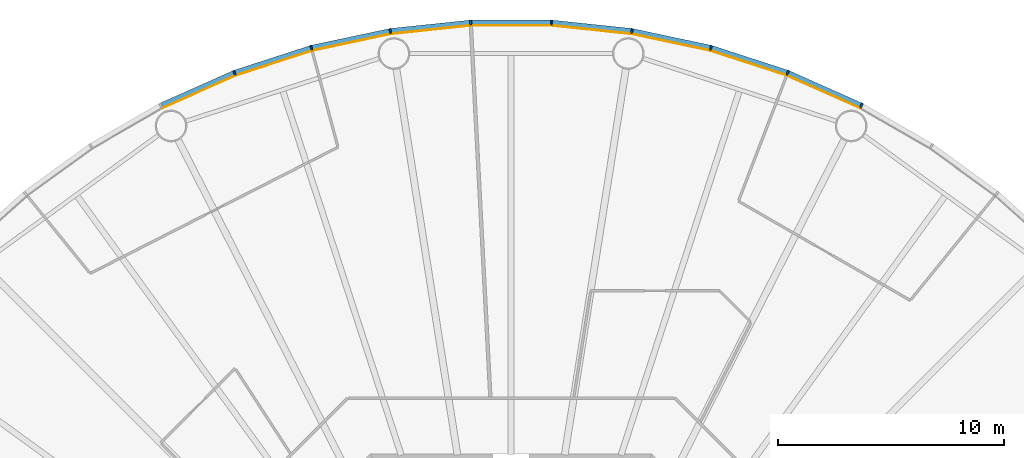
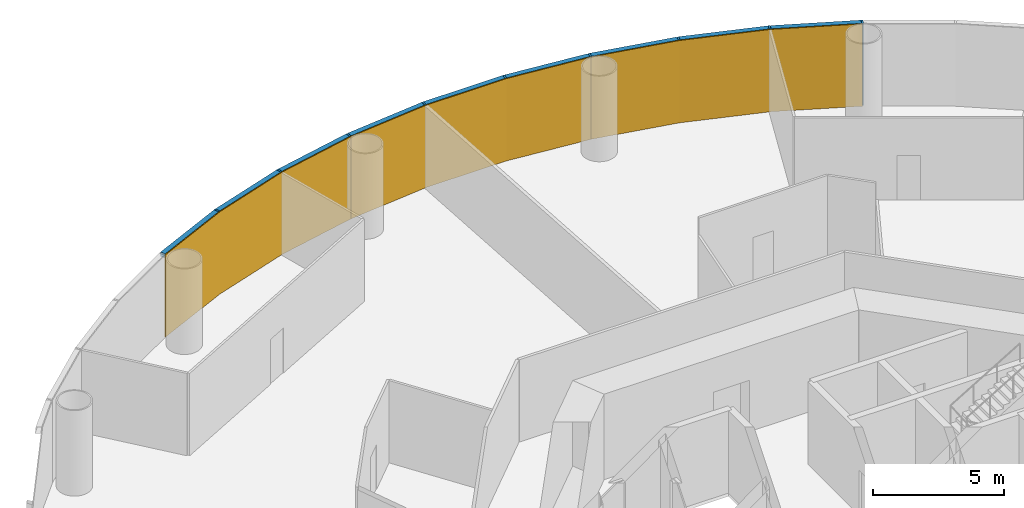
# One storey, part 12 of 13: 18 members, 3 curtain walls.
"""IFC4 building model written with IfcOpenShell, lengths in metres."""

from ifc_helpers import new_model, si_unit, direction, frame, origin, origin_2d, place, context, subcontext, project, spatial, polyline, rectangle, outline, extrude, material, layer, layer_set, material_profile, profile_set, type_object, element, aggregate, save


model = new_model("IFC4")

# Units and contexts
model_context = context("Model", 3, precision=1e-05, world=origin(), true_north=direction((0.0, 1.0)))
body_context = subcontext(model_context, "Body", "Model", "MODEL_VIEW")
ifc_project = project(units=[si_unit("LENGTHUNIT", "METRE"), si_unit("AREAUNIT", "SQUARE_METRE"), si_unit("VOLUMEUNIT", "CUBIC_METRE"), si_unit("PLANEANGLEUNIT", "RADIAN"), si_unit("MASSUNIT", "GRAM", prefix="KILO")], contexts=[model_context])

# Member
ifc_material_1 = material(Name="Anodised aluminium", Category="aluminium")
ifc_material_profile_1 = material_profile(ifc_material_1, rectangle(XDim=0.074951171875, YDim=0.219970703125, at=origin_2d()), Name="Mullion 75 x 220 mm anodised aluminium")
ifc_profile_set_1 = profile_set([ifc_material_profile_1], Name="Anodised aluminium")
member_type_1 = type_object("IfcMemberType", Name="Mullion 75 x 220 mm anodised aluminium", PredefinedType="MULLION", material=ifc_profile_set_1)
site_placement = place(None, origin())
building_placement = place(site_placement, origin())
storey_placement = place(building_placement, frame((0.0, 0.0, 30.0)))
member_1_placement = place(storey_placement, frame((105.485595703125, 110.392333984375, 0.0), z_axis=(0.0, 0.0, 1.0), x_axis=(-0.891006524188, 0.45399049974, 0.0)))
member_1 = element("IfcMember", 1, at=member_1_placement, type_object=member_type_1, Name="MULLION L05-09", PredefinedType="MULLION", context=body_context, shape_type="SweptSolid", body=[
    extrude(rectangle(XDim=0.074951171875, YDim=0.219970703125, at=origin_2d()), origin(), (0.0, 0.0, 1.0), 3.85009765625),
])

member_2_placement = place(storey_placement, frame((102.223876953125, 111.844482421875, 0.0), z_axis=(0.0, 0.0, 1.0), x_axis=(-0.933580426497, 0.358367949545, 0.0)))
member_2 = element("IfcMember", 2, at=member_2_placement, type_object=member_type_1, Name="MULLION L05-10", PredefinedType="MULLION", context=body_context, shape_type="SweptSolid", body=[
    extrude(rectangle(XDim=0.074951171875, YDim=0.219970703125, at=origin_2d()), origin(), (0.0, 0.0, 1.0), 3.85009765625),
])

member_3_placement = place(storey_placement, frame((98.828369140625, 112.94775390625, 0.0), z_axis=(0.0, 0.0, 1.0), x_axis=(-0.965925826289, 0.258819045103, 0.0)))
member_3 = element("IfcMember", 3, at=member_3_placement, type_object=member_type_1, Name="MULLION L05-11", PredefinedType="MULLION", context=body_context, shape_type="SweptSolid", body=[
    extrude(rectangle(XDim=0.074951171875, YDim=0.219970703125, at=origin_2d()), origin(), (0.0, 0.0, 1.0), 3.85009765625),
])

member_4_placement = place(storey_placement, frame((95.3359375, 113.68994140625, 0.0), z_axis=(0.0, 0.0, 1.0), x_axis=(-0.987688340595, 0.15643446504, 0.0)))
member_4 = element("IfcMember", 4, at=member_4_placement, type_object=member_type_1, Name="MULLION L05-12", PredefinedType="MULLION", context=body_context, shape_type="SweptSolid", body=[
    extrude(rectangle(XDim=0.074951171875, YDim=0.219970703125, at=origin_2d()), origin(), (0.0, 0.0, 1.0), 3.85009765625),
])

member_5_placement = place(storey_placement, frame((91.78515625, 114.063232421875, 0.0), z_axis=(0.0, 0.0, 1.0), x_axis=(-0.998629534755, 0.052335956243, 0.0)))
member_5 = element("IfcMember", 5, at=member_5_placement, type_object=member_type_1, Name="MULLION L05-13", PredefinedType="MULLION", context=body_context, shape_type="SweptSolid", body=[
    extrude(rectangle(XDim=0.074951171875, YDim=0.219970703125, at=origin_2d()), origin(), (0.0, 0.0, 1.0), 3.85009765625),
])

member_6_placement = place(storey_placement, frame((88.21484375, 114.063232421875, 0.0), z_axis=(0.0, 0.0, 1.0), x_axis=(-0.998629534755, -0.052335956243, 0.0)))
member_6 = element("IfcMember", 6, at=member_6_placement, type_object=member_type_1, Name="MULLION L05-14", PredefinedType="MULLION", context=body_context, shape_type="SweptSolid", body=[
    extrude(rectangle(XDim=0.074951171875, YDim=0.219970703125, at=origin_2d()), origin(), (0.0, 0.0, 1.0), 3.85009765625),
])

member_7_placement = place(storey_placement, frame((84.6640625, 113.68994140625, 0.0), z_axis=(0.0, 0.0, 1.0), x_axis=(-0.987688340595, -0.15643446504, 0.0)))
member_7 = element("IfcMember", 7, at=member_7_placement, type_object=member_type_1, Name="MULLION L05-15", PredefinedType="MULLION", context=body_context, shape_type="SweptSolid", body=[
    extrude(rectangle(XDim=0.074951171875, YDim=0.219970703125, at=origin_2d()), origin(), (0.0, 0.0, 1.0), 3.85009765625),
])

member_8_placement = place(storey_placement, frame((81.171630859375, 112.94775390625, 0.0), z_axis=(0.0, 0.0, 1.0), x_axis=(-0.965925826289, -0.258819045103, 0.0)))
member_8 = element("IfcMember", 8, at=member_8_placement, type_object=member_type_1, Name="MULLION L05-16", PredefinedType="MULLION", context=body_context, shape_type="SweptSolid", body=[
    extrude(rectangle(XDim=0.074951171875, YDim=0.219970703125, at=origin_2d()), origin(), (0.0, 0.0, 1.0), 3.85009765625),
])

member_9_placement = place(storey_placement, frame((77.776123046875, 111.844482421875, 0.0), z_axis=(0.0, 0.0, 1.0), x_axis=(-0.933580426497, -0.358367949545, 0.0)))
member_9 = element("IfcMember", 9, at=member_9_placement, type_object=member_type_1, Name="MULLION L05-17", PredefinedType="MULLION", context=body_context, shape_type="SweptSolid", body=[
    extrude(rectangle(XDim=0.074951171875, YDim=0.219970703125, at=origin_2d()), origin(), (0.0, 0.0, 1.0), 3.85009765625),
])

ifc_material_2 = material(Name="Anodised aluminium", Category="aluminium")
ifc_material_profile_2 = material_profile(ifc_material_2, rectangle(XDim=0.219970703125, YDim=0.199951171875, at=origin_2d()), Name="Transom 200 x 220 mm anodised aluminium")
ifc_profile_set_2 = profile_set([ifc_material_profile_2], Name="Anodised aluminium")
member_type_2 = type_object("IfcMemberType", Name="Transom 200 x 220 mm anodised aluminium", PredefinedType="USERDEFINED", material=ifc_profile_set_2)
member_10_placement = place(storey_placement, frame((105.446044921875, 110.409912109375, 3.75), z_axis=(-0.913545487371, 0.406736576304, 0.0), x_axis=(-0.406736576304, -0.913545487371, 0.0)))
member_10 = element("IfcMember", 10, at=member_10_placement, type_object=member_type_2, Name="TRANSOM L05-09", ObjectType="TRANSOM", PredefinedType="USERDEFINED", context=body_context, shape_type="SweptSolid", body=[
    extrude(rectangle(XDim=0.219970703125, YDim=0.199951171875, at=origin_2d()), origin(), (0.0, 0.0, 1.0), 3.48388671875),
])

member_11_placement = place(storey_placement, frame((102.182861328125, 111.85791015625, 3.75), z_axis=(-0.951052605696, 0.309029029702, 0.0), x_axis=(-0.309029029702, -0.951052605696, 0.0)))
member_11 = element("IfcMember", 11, at=member_11_placement, type_object=member_type_2, Name="TRANSOM L05-10", ObjectType="TRANSOM", PredefinedType="USERDEFINED", context=body_context, shape_type="SweptSolid", body=[
    extrude(rectangle(XDim=0.219970703125, YDim=0.199951171875, at=origin_2d()), origin(), (0.0, 0.0, 1.0), 3.484130859375),
])

member_12_placement = place(storey_placement, frame((98.7861328125, 112.956787109375, 3.75), z_axis=(-0.978145669426, 0.207920776701, 0.0), x_axis=(-0.207920776701, -0.978145669426, 0.0)))
member_12 = element("IfcMember", 12, at=member_12_placement, type_object=member_type_2, Name="TRANSOM L05-11", ObjectType="TRANSOM", PredefinedType="USERDEFINED", context=body_context, shape_type="SweptSolid", body=[
    extrude(rectangle(XDim=0.219970703125, YDim=0.199951171875, at=origin_2d()), origin(), (0.0, 0.0, 1.0), 3.48388671875),
])

member_13_placement = place(storey_placement, frame((95.29296875, 113.69482421875, 3.75), z_axis=(-0.994526551648, 0.104484152234, 0.0), x_axis=(-0.104484152234, -0.994526551648, 0.0)))
member_13 = element("IfcMember", 13, at=member_13_placement, type_object=member_type_2, Name="TRANSOM L05-12", ObjectType="TRANSOM", PredefinedType="USERDEFINED", context=body_context, shape_type="SweptSolid", body=[
    extrude(rectangle(XDim=0.219970703125, YDim=0.199951171875, at=origin_2d()), origin(), (0.0, 0.0, 1.0), 3.48388671875),
])

member_14_placement = place(storey_placement, frame((91.741943359375, 114.0634765625, 3.75), z_axis=(-1.0, 0.0, 0.0), x_axis=(0.0, -1.0, 0.0)))
member_14 = element("IfcMember", 14, at=member_14_placement, type_object=member_type_2, Name="TRANSOM L05-13", ObjectType="TRANSOM", PredefinedType="USERDEFINED", context=body_context, shape_type="SweptSolid", body=[
    extrude(rectangle(XDim=0.219970703125, YDim=0.199951171875, at=origin_2d()), origin(), (0.0, 0.0, 1.0), 3.48388671875),
])

member_15_placement = place(storey_placement, frame((88.171875, 114.058837890625, 3.75), z_axis=(-0.994526551648, -0.104484152234, 0.0), x_axis=(0.104484152234, -0.994526551648, 0.0)))
member_15 = element("IfcMember", 15, at=member_15_placement, type_object=member_type_2, Name="TRANSOM L05-14", ObjectType="TRANSOM", PredefinedType="USERDEFINED", context=body_context, shape_type="SweptSolid", body=[
    extrude(rectangle(XDim=0.219970703125, YDim=0.199951171875, at=origin_2d()), origin(), (0.0, 0.0, 1.0), 3.48388671875),
])

member_16_placement = place(storey_placement, frame((84.62158203125, 113.68115234375, 3.75), z_axis=(-0.978145669426, -0.207920776701, 0.0), x_axis=(0.207920776701, -0.978145669426, 0.0)))
member_16 = element("IfcMember", 16, at=member_16_placement, type_object=member_type_2, Name="TRANSOM L05-15", ObjectType="TRANSOM", PredefinedType="USERDEFINED", context=body_context, shape_type="SweptSolid", body=[
    extrude(rectangle(XDim=0.219970703125, YDim=0.199951171875, at=origin_2d()), origin(), (0.0, 0.0, 1.0), 3.48388671875),
])

member_17_placement = place(storey_placement, frame((81.130615234375, 112.9345703125, 3.75), z_axis=(-0.951052605696, -0.309029029702, 0.0), x_axis=(0.309029029702, -0.951052605696, 0.0)))
member_17 = element("IfcMember", 17, at=member_17_placement, type_object=member_type_2, Name="TRANSOM L05-16", ObjectType="TRANSOM", PredefinedType="USERDEFINED", context=body_context, shape_type="SweptSolid", body=[
    extrude(rectangle(XDim=0.219970703125, YDim=0.199951171875, at=origin_2d()), origin(), (0.0, 0.0, 1.0), 3.484130859375),
])

member_18_placement = place(storey_placement, frame((77.736572265625, 111.826904296875, 3.75), z_axis=(-0.913545487371, -0.406736576304, 0.0), x_axis=(0.406736576304, -0.913545487371, 0.0)))
member_18 = element("IfcMember", 18, at=member_18_placement, type_object=member_type_2, Name="TRANSOM L05-17", ObjectType="TRANSOM", PredefinedType="USERDEFINED", context=body_context, shape_type="SweptSolid", body=[
    extrude(rectangle(XDim=0.219970703125, YDim=0.199951171875, at=origin_2d()), origin(), (0.0, 0.0, 1.0), 3.48388671875),
])

# Site, building, storey
site = spatial("IfcSite", under=ifc_project, at=site_placement, CompositionType="ELEMENT")
building = spatial("IfcBuilding", under=site, at=building_placement, Name="Entoto Ring Tower", CompositionType="ELEMENT")
storey = spatial("IfcBuildingStorey", under=building, at=storey_placement, Name="L05", CompositionType="ELEMENT", Elevation=30.0)

# Curtain wall
ifc_material_3 = material(Name="Clear low-iron glass", Category="glass")
ifc_layer = layer(ifc_material_3, 0.0400390625)
ifc_layer_set = layer_set([ifc_layer], Name="Clear low-iron glass")
curtain_wall_type = type_object("IfcCurtainWallType", Name="Curtain wall system CW1 glazing 40 mm", PredefinedType="NOTDEFINED", material=ifc_layer_set)
curtain_wall_1_placement = place(storey_placement, origin())
curtain_wall_1 = element("IfcCurtainWall", 19, at=curtain_wall_1_placement, inside=storey, type_object=curtain_wall_type, Name="CW1 L05-04", PredefinedType="NOTDEFINED", context=body_context, shape_type="SweptSolid", body=[
    extrude(outline(polyline([(105.435791015625, 110.294189453125), (102.1845703125, 111.74169921875), (98.7998046875, 112.841552734375), (95.31884765625, 113.581298828125), (95.3125, 113.541748046875), (98.78955078125, 112.802734375), (102.170166015625, 111.704345703125), (105.41748046875, 110.258544921875), (105.435791015625, 110.294189453125)])), origin(), (0.0, 0.0, 1.0), 3.85009765625),
])

aggregate(curtain_wall_1, [member_1, member_2, member_3, member_10, member_11, member_12])

curtain_wall_2_placement = place(storey_placement, origin())
curtain_wall_2 = element("IfcCurtainWall", 20, at=curtain_wall_2_placement, inside=storey, type_object=curtain_wall_type, Name="CW1 L05-05", PredefinedType="NOTDEFINED", context=body_context, shape_type="SweptSolid", body=[
    extrude(outline(polyline([(95.31884765625, 113.581298828125), (91.779541015625, 113.953369140625), (88.220458984375, 113.953369140625), (84.68115234375, 113.581298828125), (84.6875, 113.541748046875), (88.22265625, 113.913330078125), (91.77734375, 113.913330078125), (95.3125, 113.541748046875), (95.31884765625, 113.581298828125)])), origin(), (0.0, 0.0, 1.0), 3.85009765625),
])

aggregate(curtain_wall_2, [member_4, member_5, member_6, member_13, member_14, member_15])

curtain_wall_3_placement = place(storey_placement, origin())
curtain_wall_3 = element("IfcCurtainWall", 21, at=curtain_wall_3_placement, inside=storey, type_object=curtain_wall_type, Name="CW1 L05-06", PredefinedType="NOTDEFINED", context=body_context, shape_type="SweptSolid", body=[
    extrude(outline(polyline([(84.68115234375, 113.581298828125), (81.2001953125, 112.841552734375), (77.8154296875, 111.74169921875), (74.564208984375, 110.294189453125), (74.58251953125, 110.258544921875), (77.829833984375, 111.704345703125), (81.21044921875, 112.802734375), (84.6875, 113.541748046875), (84.68115234375, 113.581298828125)])), origin(), (0.0, 0.0, 1.0), 3.85009765625),
])

aggregate(curtain_wall_3, [member_7, member_8, member_9, member_16, member_17, member_18])

save(model, "model.ifc")
